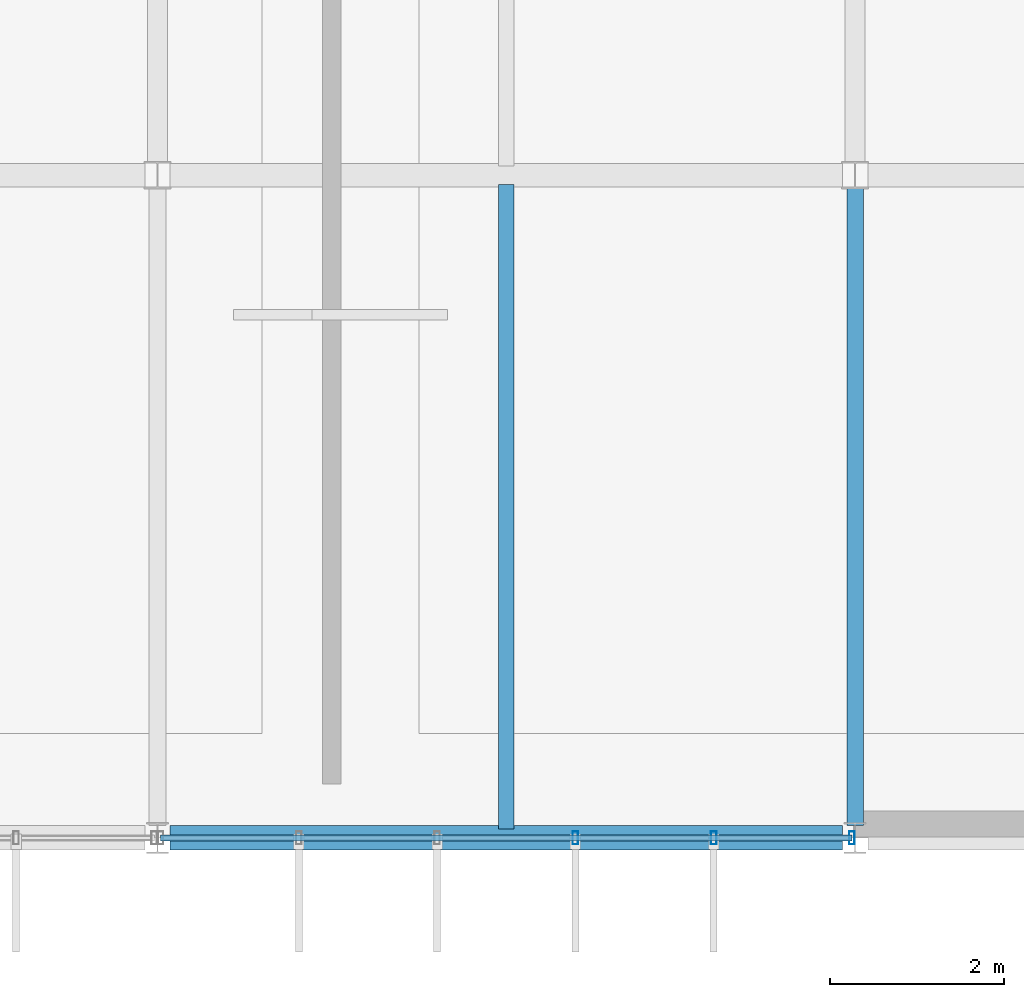
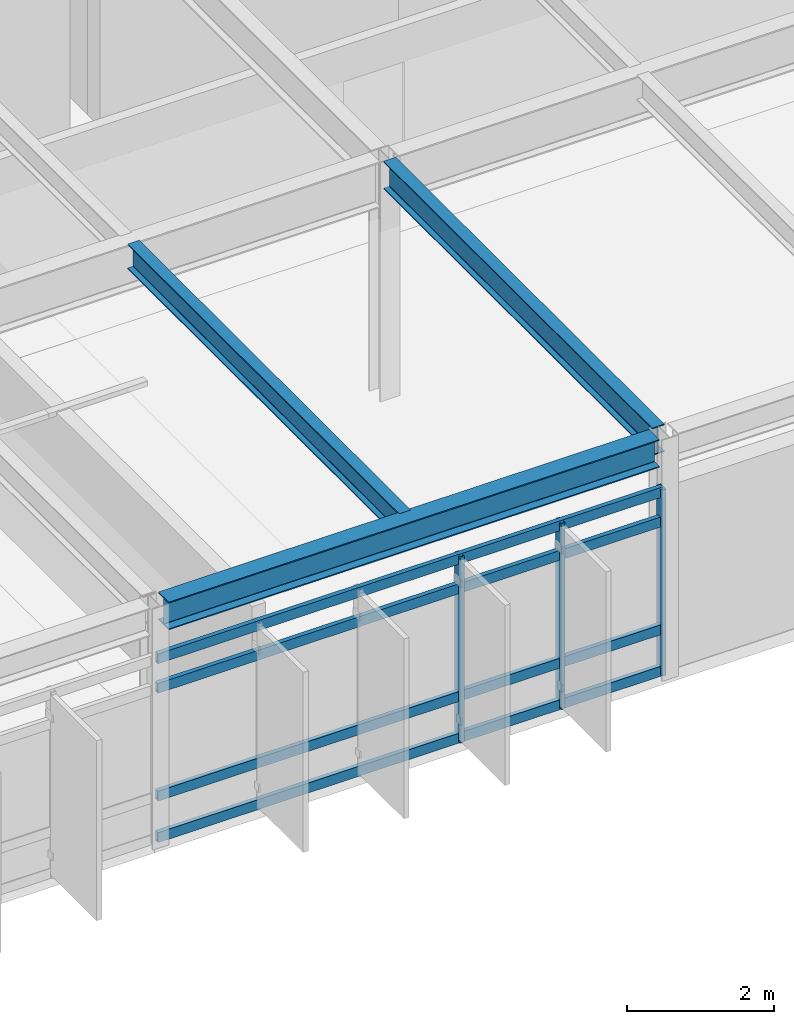
# One storey, part 7 of 21: 7 members, 3 beams, 1 element without a shape of its own.
"""IFC4 building model written with IfcOpenShell, lengths in metres."""

import ifcopenshell
import ifcopenshell.guid

model = None  # the IFC model being written
_history = None  # IfcOwnerHistory: only IFC2X3 demands one
_inside = {}  # id of a spatial element -> (the spatial element, [elements in it])
_under = {}  # id of a project, library or spatial element -> (it, [spatial elements below it])
_declared = {}  # id of a project -> (the project, [libraries it declares])
_typed = {}  # id of a type object -> (the type object, [elements of that type])
_made_of = {}  # id of a material, layer set ... -> (it, [elements and type objects made of it])


def new_model(schema):
    """Start an empty IFC model of exactly this schema.

    Asked for "IFC4X3", IfcOpenShell would pick the latest addendum, in which some entities
    have other attributes; the version numbers below select the first issue.
    IFC2X3 requires an IfcOwnerHistory on every rooted entity: one is made here for all.
    """
    global model, _history
    if schema == "IFC4X3":
        model = ifcopenshell.file(schema_version=(4, 3, 0, 0))
    else:
        model = ifcopenshell.file(schema=schema)
    _inside.clear()
    _under.clear()
    _declared.clear()
    _typed.clear()
    _made_of.clear()
    _history = None
    if model.schema == "IFC2X3":
        org = make("IfcOrganization", Name="unknown")
        user = make(
            "IfcPersonAndOrganization",
            ThePerson=make("IfcPerson", FamilyName="unknown"),
            TheOrganization=org,
        )
        app = make(
            "IfcApplication",
            ApplicationDeveloper=org,
            Version="unknown",
            ApplicationFullName="unknown",
            ApplicationIdentifier="unknown",
        )
        _history = make(
            "IfcOwnerHistory",
            OwningUser=user,
            OwningApplication=app,
            ChangeAction="ADDED",
            CreationDate=0,
        )
    return model


def make(cls, **values):
    """One entity of the class cls with the attributes given. An attribute that is None is left unset."""
    return model.create_entity(
        cls, **{name: value for name, value in values.items() if value is not None}
    )


def rooted(cls, **values):
    """An entity with a GlobalId (a new one), such as an element, a storey or a relation."""
    return make(cls, GlobalId=ifcopenshell.guid.new(), OwnerHistory=_history, **values)


def si_unit(unit_type, name, prefix=None):
    """IfcSIUnit, for example si_unit("LENGTHUNIT", "METRE", prefix="MILLI")."""
    return make("IfcSIUnit", UnitType=unit_type, Prefix=prefix, Name=name)


def assignment(units):
    """IfcUnitAssignment: the units of a project."""
    return None if units is None else make("IfcUnitAssignment", Units=units)


def point(xyz):
    """IfcCartesianPoint."""
    return None if xyz is None else make("IfcCartesianPoint", Coordinates=xyz)


def direction(xyz):
    """IfcDirection."""
    return None if xyz is None else make("IfcDirection", DirectionRatios=xyz)


def frame(location, z_axis=None, x_axis=None):
    """IfcAxis2Placement3D, a coordinate frame: its origin and axes. An axis left out is left unset."""
    return make(
        "IfcAxis2Placement3D",
        Location=point(location),
        Axis=direction(z_axis),
        RefDirection=direction(x_axis),
    )


def frame_2d(location, x_axis=None):
    """IfcAxis2Placement2D, a coordinate frame in the plane: its origin and x axis."""
    return make(
        "IfcAxis2Placement2D", Location=point(location), RefDirection=direction(x_axis)
    )


def origin():
    """The frame at (0, 0, 0) with its axes left unset."""
    return frame((0.0, 0.0, 0.0))


def origin_2d():
    """The frame at (0, 0) in the plane with its x axis left unset."""
    return frame_2d((0.0, 0.0))


def place(relative_to, where):
    """IfcLocalPlacement: puts the frame where relative to a parent placement (None: the world)."""
    return make(
        "IfcLocalPlacement", PlacementRelTo=relative_to, RelativePlacement=where
    )


def context(
    kind, dimensions, precision=None, world=None, true_north=None, identifier=None
):
    """IfcGeometricRepresentationContext, for example the 3D "Model" context."""
    return make(
        "IfcGeometricRepresentationContext",
        ContextIdentifier=identifier,
        ContextType=kind,
        CoordinateSpaceDimension=dimensions,
        Precision=precision,
        WorldCoordinateSystem=world,
        TrueNorth=true_north,
    )


def subcontext(parent, identifier, kind, view, scale=None):
    """IfcGeometricRepresentationSubContext, for example "Body" below "Model"."""
    return make(
        "IfcGeometricRepresentationSubContext",
        ContextIdentifier=identifier,
        ContextType=kind,
        ParentContext=parent,
        TargetScale=scale,
        TargetView=view,
    )


def project(units=None, contexts=None):
    """IfcProject with its units and contexts."""
    return rooted(
        "IfcProject",
        Name="project",
        RepresentationContexts=contexts,
        UnitsInContext=assignment(units),
    )


def spatial(cls, under=None, at=None, **own):
    """A site, building, storey or space (cls), placed at a placement, below another one or the project."""
    s = rooted(cls, ObjectPlacement=at, **own)
    if under is not None:
        _under.setdefault(under.id(), (under, []))[1].append(s)
    return s


def profile(cls, at=None, kind="AREA", **sizes):
    """A parametric profile (cls). Its sizes go by their IFC names, for example OverallWidth=200.0."""
    return make(cls, ProfileType=kind, Position=at, **sizes)


def hollow_rectangle(**sizes):
    """IfcRectangleHollowProfileDef."""
    return profile("IfcRectangleHollowProfileDef", **sizes)


def i_section(**sizes):
    """IfcIShapeProfileDef."""
    return profile("IfcIShapeProfileDef", **sizes)


def extrude(swept, where, along, depth):
    """IfcExtrudedAreaSolid: the profile swept, set in the frame where, extruded along a direction by depth."""
    return make(
        "IfcExtrudedAreaSolid",
        SweptArea=swept,
        Position=where,
        ExtrudedDirection=direction(along),
        Depth=depth,
    )


def shape(context_of_items, identifier, shape_type, items):
    """IfcShapeRepresentation: the items that make up one representation, for example the "Body"."""
    return make(
        "IfcShapeRepresentation",
        ContextOfItems=context_of_items,
        RepresentationIdentifier=identifier,
        RepresentationType=shape_type,
        Items=items,
    )


def material(Name=None, Category=None):
    """IfcMaterial."""
    return make("IfcMaterial", Name=Name, Category=Category)


def material_profile(
    of_material, cross_section, Name=None, Category=None, Priority=None
):
    """IfcMaterialProfile: a cross section and its material."""
    return make(
        "IfcMaterialProfile",
        Name=Name,
        Material=of_material,
        Profile=cross_section,
        Priority=Priority,
        Category=Category,
    )


def profile_set(profiles, Name=None, composite=None):
    """IfcMaterialProfileSet."""
    return make(
        "IfcMaterialProfileSet",
        Name=Name,
        MaterialProfiles=profiles,
        CompositeProfile=composite,
    )


def made_of(thing, what):
    """Note that an element or type object is made of a material, layer set ...; save() writes the relation."""
    if what is not None:
        _made_of.setdefault(what.id(), (what, []))[1].append(thing)
    return thing


def type_object(cls, material=None, **own):
    """A type object (cls), such as IfcWallType, which elements share."""
    return made_of(rooted(cls, **own), material)


def element(
    cls,
    number,
    at=None,
    inside=None,
    cuts=None,
    type_object=None,
    material=None,
    context=None,
    identifier="Body",
    shape_type=None,
    held_by="IfcProductDefinitionShape",
    body=None,
    shapes=None,
    **own,
):
    """One element of the class cls, such as IfcWall. Its Tag is "e" and its number.

    at: its placement. inside: the storey or other place that contains it. cuts: it is an
    opening in that element (IfcRelVoidsElement). A single representation is given by context,
    identifier, shape_type and body (its items); several are given by shapes. held_by: the class
    of the entity that holds the representations. save() writes the other relations.
    """
    e = rooted(cls, Tag="e%d" % number, ObjectPlacement=at, **own)
    if body is not None:
        shapes = [shape(context, identifier, shape_type, body)]
    if shapes is not None:
        e.Representation = make(held_by, Representations=shapes)
    if inside is not None:
        _inside.setdefault(inside.id(), (inside, []))[1].append(e)
    if cuts is not None:
        rooted(
            "IfcRelVoidsElement", RelatingBuildingElement=cuts, RelatedOpeningElement=e
        )
    if type_object is not None:
        _typed.setdefault(type_object.id(), (type_object, []))[1].append(e)
    return made_of(e, material)


def aggregate(whole, parts):
    """IfcRelAggregates: a whole, such as a stair, and the parts it consists of."""
    return rooted("IfcRelAggregates", RelatingObject=whole, RelatedObjects=parts)


def save(model, path):
    """Write the relations noted so far, then the file.

    IfcRelAggregates (storeys below a building ...), IfcRelContainedInSpatialStructure (elements
    in a storey), IfcRelDefinesByType, IfcRelAssociatesMaterial and IfcRelDeclares: one each for
    every whole, place, type object, material and project.
    """
    for whole, parts in _under.values():
        aggregate(whole, parts)
    for where, things in _inside.values():
        rooted(
            "IfcRelContainedInSpatialStructure",
            RelatedElements=things,
            RelatingStructure=where,
        )
    for kind, things in _typed.values():
        rooted("IfcRelDefinesByType", RelatedObjects=things, RelatingType=kind)
    for what, things in _made_of.values():
        rooted("IfcRelAssociatesMaterial", RelatedObjects=things, RelatingMaterial=what)
    for by, libraries in _declared.values():
        rooted("IfcRelDeclares", RelatingContext=by, RelatedDefinitions=libraries)
    model.write(path)


model = new_model("IFC4")

# Units and contexts
model_context = context("Model", 3, precision=1e-05, world=origin(), true_north=direction((0.0, 1.0)))
body_context = subcontext(model_context, "Body", "Model", "MODEL_VIEW")
ifc_project = project(units=[si_unit("LENGTHUNIT", "METRE"), si_unit("AREAUNIT", "SQUARE_METRE"), si_unit("VOLUMEUNIT", "CUBIC_METRE"), si_unit("PLANEANGLEUNIT", "RADIAN"), si_unit("MASSUNIT", "GRAM", prefix="KILO")], contexts=[model_context])

# Site, building, storey
site_placement = place(None, origin())
site = spatial("IfcSite", under=ifc_project, at=site_placement, CompositionType="ELEMENT")
building_placement = place(site_placement, origin())
building = spatial("IfcBuilding", under=site, at=building_placement, Name="Zulena Civic Courthouse", CompositionType="ELEMENT")
storey_placement = place(building_placement, frame((0.0, 0.0, 37.800048828125)))
storey = spatial("IfcBuildingStorey", under=building, at=storey_placement, Name="L08", CompositionType="ELEMENT", Elevation=37.800048828125)

# Curtain wall, members
ifc_material_1 = material(Name="Double-silver low-E laminated solar-control glass", Category="glass")
curtain_wall_type = type_object("IfcCurtainWallType", Name="CW_7928x3090", PredefinedType="USERDEFINED", material=ifc_material_1)
curtain_wall_placement = place(storey_placement, origin())
curtain_wall = element("IfcCurtainWall", 1, at=curtain_wall_placement, inside=storey, type_object=curtain_wall_type, Name="cw:V2:L08:3:3", ObjectType="UNITISED CURTAIN WALL", PredefinedType="USERDEFINED")
ifc_material_2 = material(Name="Bronze anodised thermally broken aluminium AA6063-T6", Category="aluminium")
ifc_material_profile_1 = material_profile(ifc_material_2, hollow_rectangle(XDim=0.06494140625, YDim=0.14990234375, WallThickness=0.00390625, at=origin_2d()), Name="CWM150X65X4")
ifc_profile_set_1 = profile_set([ifc_material_profile_1], Name="Bronze anodised thermally broken aluminium AA6063-T6")
member_type_1 = type_object("IfcMemberType", Name="CWMullion_150x65", PredefinedType="MULLION", material=ifc_profile_set_1)
member_1_placement = place(storey_placement, frame((43.964111328125, 0.0, 0.0), z_axis=(0.0, 0.0, 1.0), x_axis=(1.0, 0.0, 0.0)))
member_1 = element("IfcMember", 2, at=member_1_placement, type_object=member_type_1, Name="cw:V2:L08:3:3:mull:0", PredefinedType="MULLION", context=body_context, shape_type="SweptSolid", body=[
    extrude(hollow_rectangle(XDim=0.06494140625, YDim=0.14990234375, WallThickness=0.00390625, at=origin_2d()), origin(), (0.0, 0.0, 1.0), 3.08984375),
])
member_2_placement = place(storey_placement, frame((42.37841796875, 0.0, 0.0), z_axis=(0.0, 0.0, 1.0), x_axis=(1.0, 0.0, 0.0)))
member_2 = element("IfcMember", 3, at=member_2_placement, type_object=member_type_1, Name="cw:V2:L08:3:3:mull:1", PredefinedType="MULLION", context=body_context, shape_type="SweptSolid", body=[
    extrude(hollow_rectangle(XDim=0.06494140625, YDim=0.14990234375, WallThickness=0.00390625, at=origin_2d()), origin(), (0.0, 0.0, 1.0), 3.08984375),
])
member_3_placement = place(storey_placement, frame((40.792724609375, 0.0, 0.0), z_axis=(0.0, 0.0, 1.0), x_axis=(1.0, 0.0, 0.0)))
member_3 = element("IfcMember", 4, at=member_3_placement, type_object=member_type_1, Name="cw:V2:L08:3:3:mull:2", PredefinedType="MULLION", context=body_context, shape_type="SweptSolid", body=[
    extrude(hollow_rectangle(XDim=0.06494140625, YDim=0.14990234375, WallThickness=0.00390625, at=origin_2d()), origin(), (0.0, 0.0, 1.0), 3.08984375),
])
ifc_material_profile_2 = material_profile(ifc_material_2, hollow_rectangle(XDim=0.070068359375, YDim=0.1650390625, WallThickness=0.00390625, at=origin_2d()), Name="CWT165X70X4")
ifc_profile_set_2 = profile_set([ifc_material_profile_2], Name="Bronze anodised thermally broken aluminium AA6063-T6")
member_type_2 = type_object("IfcMemberType", Name="CWTransom_165x70", PredefinedType="USERDEFINED", material=ifc_profile_set_2)
member_4_placement = place(storey_placement, frame((43.964111328125, 0.0, 0.06005859375), z_axis=(-1.0, 0.0, 0.0), x_axis=(0.0, -1.0, 0.0)))
member_4 = element("IfcMember", 5, at=member_4_placement, type_object=member_type_2, Name="cw:V2:L08:3:3:tran:0", ObjectType="TRANSOM", PredefinedType="USERDEFINED", context=body_context, shape_type="SweptSolid", body=[
    extrude(hollow_rectangle(XDim=0.070068359375, YDim=0.1650390625, WallThickness=0.00390625, at=origin_2d()), origin(), (0.0, 0.0, 1.0), 7.92822265625),
])
member_5_placement = place(storey_placement, frame((43.964111328125, 0.0, 0.75), z_axis=(-1.0, 0.0, 0.0), x_axis=(0.0, -1.0, 0.0)))
member_5 = element("IfcMember", 6, at=member_5_placement, type_object=member_type_2, Name="cw:V2:L08:3:3:tran:1", ObjectType="TRANSOM", PredefinedType="USERDEFINED", context=body_context, shape_type="SweptSolid", body=[
    extrude(hollow_rectangle(XDim=0.070068359375, YDim=0.1650390625, WallThickness=0.00390625, at=origin_2d()), origin(), (0.0, 0.0, 1.0), 7.92822265625),
])
member_6_placement = place(storey_placement, frame((43.964111328125, 0.0, 2.5400390625), z_axis=(-1.0, 0.0, 0.0), x_axis=(0.0, -1.0, 0.0)))
member_6 = element("IfcMember", 7, at=member_6_placement, type_object=member_type_2, Name="cw:V2:L08:3:3:tran:2", ObjectType="TRANSOM", PredefinedType="USERDEFINED", context=body_context, shape_type="SweptSolid", body=[
    extrude(hollow_rectangle(XDim=0.070068359375, YDim=0.1650390625, WallThickness=0.00390625, at=origin_2d()), origin(), (0.0, 0.0, 1.0), 7.92822265625),
])
member_7_placement = place(storey_placement, frame((43.964111328125, 0.0, 3.030029296875), z_axis=(-1.0, 0.0, 0.0), x_axis=(0.0, -1.0, 0.0)))
member_7 = element("IfcMember", 8, at=member_7_placement, type_object=member_type_2, Name="cw:V2:L08:3:3:tran:3", ObjectType="TRANSOM", PredefinedType="USERDEFINED", context=body_context, shape_type="SweptSolid", body=[
    extrude(hollow_rectangle(XDim=0.070068359375, YDim=0.1650390625, WallThickness=0.00390625, at=origin_2d()), origin(), (0.0, 0.0, 1.0), 7.92822265625),
])
aggregate(curtain_wall, [member_1, member_2, member_3, member_4, member_5, member_6, member_7])

# Beams
ifc_material_3 = material(Name="Steel ASTM A992 Grade 50", Category="steel")
ifc_material_profile_3 = material_profile(ifc_material_3, i_section(OverallWidth=0.180908203125, OverallDepth=0.4169921875, WebThickness=0.010986328125, FlangeThickness=0.018310546875, FilletRadius=0.01025390625, at=origin_2d()), Name="W16X57")
ifc_profile_set_3 = profile_set([ifc_material_profile_3], Name="Steel ASTM A992 Grade 50")
beam_type_1 = type_object("IfcBeamType", Name="Joist_W16X57", PredefinedType="JOIST", material=ifc_profile_set_3)
beam_1_placement = place(storey_placement, frame((40.0, 0.10498046875, 3.79150390625), z_axis=(0.0, 1.0, 0.0), x_axis=(-1.0, 0.0, 0.0)))
element("IfcBeam", 9, at=beam_1_placement, inside=storey, type_object=beam_type_1, Name="joist:V2:L08:40.00:0.0_7.6", PredefinedType="JOIST", context=body_context, shape_type="SweptSolid", body=[
    extrude(i_section(OverallWidth=0.180908203125, OverallDepth=0.4169921875, WebThickness=0.010986328125, FlangeThickness=0.018310546875, FilletRadius=0.01025390625, at=origin_2d()), origin(), (0.0, 0.0, 1.0), 7.39013671875),
])
ifc_material_profile_4 = material_profile(ifc_material_3, i_section(OverallWidth=0.19091796875, OverallDepth=0.4599609375, WebThickness=0.010009765625, FlangeThickness=0.01611328125, FilletRadius=0.01025390625, at=origin_2d()), Name="W18X55")
ifc_profile_set_4 = profile_set([ifc_material_profile_4], Name="Steel ASTM A992 Grade 50")
beam_type_2 = type_object("IfcBeamType", Name="Spandrel_W18X55", PredefinedType="SPANDREL", material=ifc_profile_set_4)
beam_2_placement = place(storey_placement, frame((44.0, 0.14501953125, 3.77001953125), z_axis=(0.0, 1.0, 0.0), x_axis=(-1.0, 0.0, 0.0)))
element("IfcBeam", 10, at=beam_2_placement, inside=storey, type_object=beam_type_2, Name="beam:Y:V2:L08:44.0:0.0_7.6", PredefinedType="SPANDREL", context=body_context, shape_type="SweptSolid", body=[
    extrude(i_section(OverallWidth=0.19091796875, OverallDepth=0.4599609375, WebThickness=0.010009765625, FlangeThickness=0.01611328125, FilletRadius=0.01025390625, at=origin_2d()), origin(), (0.0, 0.0, 1.0), 7.31005859375),
])
ifc_material_profile_5 = material_profile(ifc_material_3, i_section(OverallWidth=0.280029296875, OverallDepth=0.462890625, WebThickness=0.0107421875, FlangeThickness=0.017333984375, FilletRadius=0.01025390625, at=origin_2d()), Name="W18X76")
ifc_profile_set_5 = profile_set([ifc_material_profile_5], Name="Steel ASTM A992 Grade 50")
beam_type_3 = type_object("IfcBeamType", Name="Spandrel_W18X76", PredefinedType="SPANDREL", material=ifc_profile_set_5)
beam_3_placement = place(storey_placement, frame((36.14501953125, 0.0, 3.7685546875), z_axis=(1.0, 0.0, 0.0), x_axis=(0.0, 1.0, 0.0)))
element("IfcBeam", 11, at=beam_3_placement, inside=storey, type_object=beam_type_3, Name="beam:X:V2:L08:0.0:36.0_44.0", PredefinedType="SPANDREL", context=body_context, shape_type="SweptSolid", body=[
    extrude(i_section(OverallWidth=0.280029296875, OverallDepth=0.462890625, WebThickness=0.0107421875, FlangeThickness=0.017333984375, FilletRadius=0.01025390625, at=origin_2d()), origin(), (0.0, 0.0, 1.0), 7.7099609375),
])

save(model, "model.ifc")
